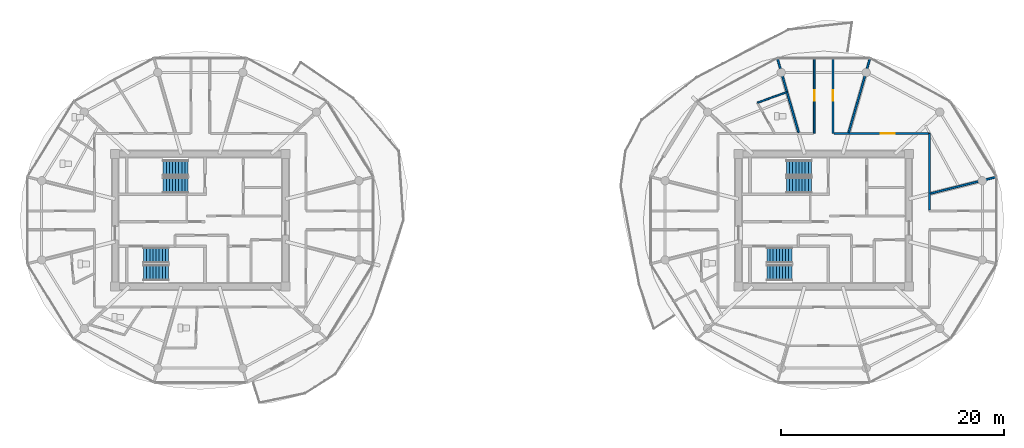
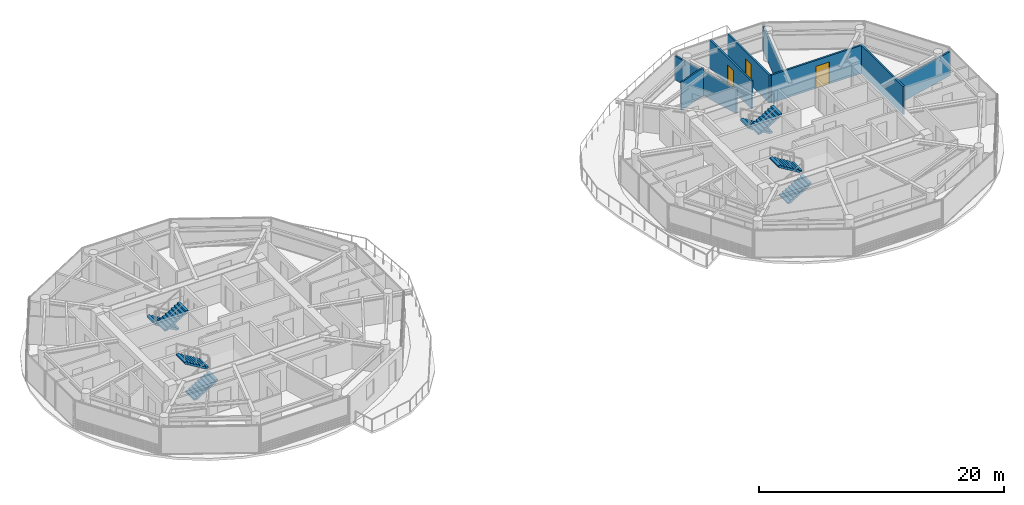
# One storey, part 14 of 19: 8 stair flights, 8 walls, 3 doors, 3 openings, 4 elements without a shape of their own.
"""IFC4 building model written with IfcOpenShell, lengths in metres."""

from ifc_helpers import new_model, si_unit, direction, frame, frame_2d, origin, place, context, subcontext, project, spatial, polyline, rectangle, outline, extrude, source, transform, mapped, material, layer, layer_set, type_object, type_shapes, element, fill, aggregate, save


model = new_model("IFC4")

# Units and contexts
model_context = context("Model", 3, precision=1e-05, world=origin(), true_north=direction((0.0, 1.0)))
body_context = subcontext(model_context, "Body", "Model", "MODEL_VIEW")
ifc_project = project(units=[si_unit("LENGTHUNIT", "METRE"), si_unit("AREAUNIT", "SQUARE_METRE"), si_unit("VOLUMEUNIT", "CUBIC_METRE"), si_unit("PLANEANGLEUNIT", "RADIAN"), si_unit("MASSUNIT", "GRAM", prefix="KILO")], contexts=[model_context])

# Site, building, storey
site_placement = place(None, origin())
site = spatial("IfcSite", under=ifc_project, at=site_placement, CompositionType="ELEMENT")
building_placement = place(site_placement, origin())
building = spatial("IfcBuilding", under=site, at=building_placement, Name="Norrkilde Senior Care Towers", CompositionType="ELEMENT")
storey_placement = place(building_placement, frame((0.0, 0.0, 193.699951171875)))
storey = spatial("IfcBuildingStorey", under=building, at=storey_placement, Name="L60", CompositionType="ELEMENT", Elevation=193.699951171875)

# Wall, opening, door
ifc_material_1 = material(Name="Gypsum Acoustic Board")
ifc_layer_1 = layer(ifc_material_1, 0.1650390625)
ifc_layer_set_1 = layer_set([ifc_layer_1], Name="Gypsum Acoustic Board")
wall_type_1 = type_object("IfcWallType", Name="Corridor Rated Partition 165", PredefinedType="PARTITIONING", material=ifc_layer_set_1)
shared_shape_1 = source(origin(), body_context, "Body", "SweptSolid", [
    extrude(rectangle(XDim=8.580078125, YDim=0.1650390625, at=frame_2d((4.2900390625, 0.0))), origin(), (0.0, 0.0, 1.0), 2.795166015625),
])
wall_1_placement = place(storey_placement, frame((28.919921875, 7.800048828125, 0.0), z_axis=(0.0, 0.0, 1.0), x_axis=(1.0, 0.0, 0.0)))
wall_1 = element("IfcWall", 1, at=wall_1_placement, inside=storey, type_object=wall_type_1, Name="WL-INT-L60-E-CRW-N-1", PredefinedType="PARTITIONING", context=body_context, shape_type="MappedRepresentation", body=[
    mapped(shared_shape_1, transform((0.0, 0.0, 0.0), x_axis=(1.0, 0.0, 0.0), y_axis=(0.0, 1.0, 0.0), z_axis=(0.0, 0.0, 1.0), scale=1.0)),
])
opening_1_placement = place(wall_1_placement, frame((4.2197265625, 0.0, 0.0)))
opening_1 = element("IfcOpeningElement", 2, at=opening_1_placement, cuts=wall_1, Name="Opening D-05", PredefinedType="OPENING", context=body_context, shape_type="SweptSolid", body=[
    extrude(rectangle(XDim=1.25, YDim=2.199951171875, at=frame_2d((0.625, 1.10009765625))), frame((0.0, 0.092529296875, 0.0), z_axis=(0.0, -1.0, 0.0), x_axis=(1.0, 0.0, 0.0)), (0.0, 0.0, 1.0), 0.18505859375),
])
ifc_material_2 = material(Name="Nordic Ash Timber", Category="wood")
door_type_1 = type_object("IfcDoorType", Name="Care Bedroom Bariatric Door 1250x2200", OperationType="NOTDEFINED", PredefinedType="DOOR", material=ifc_material_2)
shared_shape_2 = source(origin(), body_context, "Body", "SweptSolid", [
    extrude(rectangle(XDim=1.25, YDim=2.199951171875, at=frame_2d((0.625, 1.10009765625))), frame((0.0, 0.02490234375, 0.0), z_axis=(0.0, -1.0, 0.0), x_axis=(1.0, 0.0, 0.0)), (0.0, 0.0, 1.0), 0.050048828125),
])
type_shapes(door_type_1, [shared_shape_2])
door_1_placement = place(opening_1_placement, frame((1.25, 0.0, 0.0), z_axis=(0.0, 0.0, 1.0), x_axis=(-1.0, 0.0, 0.0)))
door_1 = element("IfcDoor", 3, at=door_1_placement, inside=storey, type_object=door_type_1, Name="L60 Senior Wellness Library Lounge Door", OperationType="SINGLE_SWING_LEFT", OverallHeight=2.199951171875, OverallWidth=1.25, PredefinedType="DOOR", context=body_context, shape_type="MappedRepresentation", body=[
    mapped(shared_shape_2, transform((0.0, 0.0, 0.0), x_axis=(1.0, 0.0, 0.0), y_axis=(0.0, 1.0, 0.0), z_axis=(0.0, 0.0, 1.0), scale=1.0)),
])
fill(opening_1, door_1)

# Walls
shared_shape_3 = source(origin(), body_context, "Body", "SweptSolid", [
    extrude(rectangle(XDim=6.880126953125, YDim=0.1650390625, at=frame_2d((3.43994140625, 0.0))), origin(), (0.0, 0.0, 1.0), 2.795166015625),
])
wall_2_placement = place(storey_placement, frame((37.5, 7.800048828125, 0.0), z_axis=(0.0, 0.0, 1.0), x_axis=(0.0, -1.0, 0.0)))
element("IfcWall", 4, at=wall_2_placement, inside=storey, type_object=wall_type_1, Name="WL-INT-L60-E-CRW-E-0", PredefinedType="PARTITIONING", context=body_context, shape_type="MappedRepresentation", body=[
    mapped(shared_shape_3, transform((0.0, 0.0, 0.0), x_axis=(1.0, 0.0, 0.0), y_axis=(0.0, 1.0, 0.0), z_axis=(0.0, 0.0, 1.0), scale=1.0)),
])
shared_shape_4 = source(origin(), body_context, "Body", "SweptSolid", [
    extrude(rectangle(XDim=6.973876953125, YDim=0.1650390625, at=frame_2d((3.48681640625, 0.0))), origin(), (0.0, 0.0, 1.0), 2.39501953125),
])
for number, where, z_axis, x_axis, name in (
    (5, (30.251220703125, 7.8798828125, 0.0), (0.0, 0.0, 1.0), (0.274707256801, 0.961527910703, 0.0), "WL-INT-L60-E-DEM-02-0"),
    (6, (25.748779296875, 7.8798828125, 0.0), (0.0, 0.0, 1.0), (-0.274707256801, 0.961527910703, 0.0), "WL-INT-L60-E-DEM-03-0"),
):
    element("IfcWall", number, at=place(storey_placement, frame(where, z_axis=z_axis, x_axis=x_axis)), inside=storey, type_object=wall_type_1, Name=name, PredefinedType="PARTITIONING", context=body_context, shape_type="MappedRepresentation", body=[
        mapped(shared_shape_4, transform((0.0, 0.0, 0.0), x_axis=(1.0, 0.0, 0.0), y_axis=(0.0, 1.0, 0.0), z_axis=(0.0, 0.0, 1.0), scale=1.0)),
    ])
shared_shape_5 = source(origin(), body_context, "Body", "SweptSolid", [
    extrude(rectangle(XDim=6.1572265625, YDim=0.1650390625, at=frame_2d((3.07861328125, 0.0))), origin(), (0.0, 0.0, 1.0), 2.39501953125),
])
wall_3_placement = place(storey_placement, frame((37.580078125, 2.407470703125, 0.0), z_axis=(0.0, 0.0, 1.0), x_axis=(0.969840867184, 0.243738984038, 0.0)))
element("IfcWall", 7, at=wall_3_placement, inside=storey, type_object=wall_type_1, Name="WL-INT-L60-E-DEM-00-0", PredefinedType="PARTITIONING", context=body_context, shape_type="MappedRepresentation", body=[
    mapped(shared_shape_5, transform((0.0, 0.0, 0.0), x_axis=(1.0, 0.0, 0.0), y_axis=(0.0, 1.0, 0.0), z_axis=(0.0, 0.0, 1.0), scale=1.0)),
])

# Wall, opening, door
shared_shape_6 = source(origin(), body_context, "Body", "SweptSolid", [
    extrude(rectangle(XDim=6.83544921875, YDim=0.1650390625, at=frame_2d((3.417724609375, 0.0))), origin(), (0.0, 0.0, 1.0), 2.795166015625),
])
type_shapes(wall_type_1, [shared_shape_1, shared_shape_3, shared_shape_4, shared_shape_5, shared_shape_6])
wall_4_placement = place(storey_placement, frame((27.159912109375, 7.800048828125, 0.0), z_axis=(0.0, 0.0, 1.0), x_axis=(0.0, 1.0, 0.0)))
wall_4 = element("IfcWall", 8, at=wall_4_placement, inside=storey, type_object=wall_type_1, Name="WL-INT-L60-E-SPK-N1-0", PredefinedType="PARTITIONING", context=body_context, shape_type="MappedRepresentation", body=[
    mapped(shared_shape_6, transform((0.0, 0.0, 0.0), x_axis=(1.0, 0.0, 0.0), y_axis=(0.0, 1.0, 0.0), z_axis=(0.0, 0.0, 1.0), scale=1.0)),
])
opening_2_placement = place(wall_4_placement, frame((2.942626953125, 0.0, 0.0)))
opening_2 = element("IfcOpeningElement", 9, at=opening_2_placement, cuts=wall_4, Name="Opening D-07", PredefinedType="OPENING", context=body_context, shape_type="SweptSolid", body=[
    extrude(rectangle(XDim=0.949951171875, YDim=2.10009765625, at=frame_2d((0.47509765625, 1.050048828125))), frame((0.0, 0.092529296875, 0.0), z_axis=(0.0, -1.0, 0.0), x_axis=(1.0, 0.0, 0.0)), (0.0, 0.0, 1.0), 0.18505859375),
])
door_type_2 = type_object("IfcDoorType", Name="Internal Suite Bedroom Door 950x2100", OperationType="NOTDEFINED", PredefinedType="DOOR", material=ifc_material_2)
shared_shape_7 = source(origin(), body_context, "Body", "SweptSolid", [
    extrude(rectangle(XDim=0.949951171875, YDim=2.10009765625, at=frame_2d((0.47509765625, 1.050048828125))), frame((0.0, 0.02490234375, 0.0), z_axis=(0.0, -1.0, 0.0), x_axis=(1.0, 0.0, 0.0)), (0.0, 0.0, 1.0), 0.050048828125),
])
type_shapes(door_type_2, [shared_shape_7])
door_2_placement = place(opening_2_placement, frame((0.949951171875, 0.0, 0.0), z_axis=(0.0, 0.0, 1.0), x_axis=(-1.0, 0.0, 0.0)))
door_2 = element("IfcDoor", 10, at=door_2_placement, inside=storey, type_object=door_type_2, Name="L60 Sun Reading Lounge 3 Door", OperationType="SINGLE_SWING_RIGHT", OverallHeight=2.10009765625, OverallWidth=0.949951171875, PredefinedType="DOOR", context=body_context, shape_type="MappedRepresentation", body=[
    mapped(shared_shape_7, transform((0.0, 0.0, 0.0), x_axis=(1.0, 0.0, 0.0), y_axis=(0.0, 1.0, 0.0), z_axis=(0.0, 0.0, 1.0), scale=1.0)),
])
fill(opening_2, door_2)

wall_5_placement = place(storey_placement, frame((28.840087890625, 14.635498046875, 0.0), z_axis=(0.0, 0.0, 1.0), x_axis=(0.0, -1.0, 0.0)))
wall_5 = element("IfcWall", 11, at=wall_5_placement, inside=storey, type_object=wall_type_1, Name="WL-INT-L60-E-SPK-N2-0", PredefinedType="PARTITIONING", context=body_context, shape_type="MappedRepresentation", body=[
    mapped(shared_shape_6, transform((0.0, 0.0, 0.0), x_axis=(1.0, 0.0, 0.0), y_axis=(0.0, 1.0, 0.0), z_axis=(0.0, 0.0, 1.0), scale=1.0)),
])
opening_3_placement = place(wall_5_placement, frame((2.942626953125, 0.0, 0.0)))
opening_3 = element("IfcOpeningElement", 12, at=opening_3_placement, cuts=wall_5, Name="Opening D-07", PredefinedType="OPENING", context=body_context, shape_type="SweptSolid", body=[
    extrude(rectangle(XDim=0.949951171875, YDim=2.10009765625, at=frame_2d((0.47509765625, 1.050048828125))), frame((0.0, 0.092529296875, 0.0), z_axis=(0.0, -1.0, 0.0), x_axis=(1.0, 0.0, 0.0)), (0.0, 0.0, 1.0), 0.18505859375),
])
door_3_placement = place(opening_3_placement, frame((0.949951171875, 0.0, 0.0), z_axis=(0.0, 0.0, 1.0), x_axis=(-1.0, 0.0, 0.0)))
door_3 = element("IfcDoor", 13, at=door_3_placement, inside=storey, type_object=door_type_2, Name="L60 Sun Reading Lounge 4 Door", OperationType="SINGLE_SWING_LEFT", OverallHeight=2.10009765625, OverallWidth=0.949951171875, PredefinedType="DOOR", context=body_context, shape_type="MappedRepresentation", body=[
    mapped(shared_shape_7, transform((0.0, 0.0, 0.0), x_axis=(1.0, 0.0, 0.0), y_axis=(0.0, 1.0, 0.0), z_axis=(0.0, 0.0, 1.0), scale=1.0)),
])
fill(opening_3, door_3)

# Wall
ifc_layer_2 = layer(ifc_material_1, 0.139892578125)
ifc_layer_set_2 = layer_set([ifc_layer_2], Name="Gypsum Acoustic Board")
wall_type_2 = type_object("IfcWallType", Name="En-suite Wet Room Wall 140", PredefinedType="PARTITIONING", material=ifc_layer_set_2)
shared_shape_8 = source(origin(), body_context, "Body", "SweptSolid", [
    extrude(rectangle(XDim=2.8310546875, YDim=0.139892578125, at=frame_2d((1.41552734375, 0.0))), origin(), (0.0, 0.0, 1.0), 2.795166015625),
])
type_shapes(wall_type_2, [shared_shape_8])
wall_6_placement = place(storey_placement, frame((22.042724609375, 10.5654296875, 0.0), z_axis=(0.0, 0.0, 1.0), x_axis=(0.941411742535, 0.337259441701, 0.0)))
element("IfcWall", 14, at=wall_6_placement, inside=storey, type_object=wall_type_2, Name="WL-INT-L60-E-EF-03", PredefinedType="PARTITIONING", context=body_context, shape_type="MappedRepresentation", body=[
    mapped(shared_shape_8, transform((0.0, 0.0, 0.0), x_axis=(1.0, 0.0, 0.0), y_axis=(0.0, 1.0, 0.0), z_axis=(0.0, 0.0, 1.0), scale=1.0)),
])

# Stair, stair flights
ifc_material_3 = material(Name="Concrete C45/55", Category="concrete")
stair_type = type_object("IfcStairType", Name="Core Protected Dogleg Stair Typical 3050", PredefinedType="HALF_TURN_STAIR", material=ifc_material_3)
stair_1_placement = place(storey_placement, origin())
stair_1 = element("IfcStair", 15, at=stair_1_placement, inside=storey, type_object=stair_type, Name="L60 Protected Core Stair W1", PredefinedType="HALF_TURN_STAIR")
stair_flight_type = type_object("IfcStairFlightType", Name="Core Protected Dogleg Stair Typical 3050 Flight", PredefinedType="STRAIGHT", material=ifc_material_3)
stair_flight_1_placement = place(storey_placement, frame((-29.10009765625, 4.699951171875, 0.0), z_axis=(0.0, 0.0, 1.0), x_axis=(-1.0, 0.0, 0.0)))
stair_flight_1 = element("IfcStairFlight", 16, at=stair_flight_1_placement, type_object=stair_flight_type, Name="ST-W1 flight 1", NumberOfRisers=9, NumberOfTreads=8, PredefinedType="STRAIGHT", RiserHeight=0.169444444, TreadLength=0.28, context=body_context, shape_type="SweptSolid", body=[
    extrude(outline(polyline([(0.0, 0.0), (0.0, 0.16943359375), (0.280029296875, 0.16943359375), (0.280029296875, 0.3388671875), (0.56005859375, 0.3388671875), (0.56005859375, 0.50830078125), (0.840087890625, 0.50830078125), (0.840087890625, 0.677734375), (1.1201171875, 0.677734375), (1.1201171875, 0.84716796875), (1.39990234375, 0.84716796875), (1.39990234375, 1.0166015625), (1.679931640625, 1.0166015625), (1.679931640625, 1.18603515625), (1.9599609375, 1.18603515625), (1.9599609375, 1.35546875), (2.239990234375, 1.35546875), (2.239990234375, 1.52490234375), (2.239990234375, 1.180419921875), (0.28955078125, 0.0), (0.0, 0.0)])), frame((0.0, 0.699951171875, 0.0), z_axis=(0.0, -1.0, 0.0), x_axis=(1.0, 0.0, 0.0)), (0.0, 0.0, 1.0), 1.39990234375),
])
stair_flight_2_placement = place(storey_placement, frame((-31.340087890625, 3.14990234375, 1.525146484375), z_axis=(0.0, 0.0, 1.0), x_axis=(1.0, 0.0, 0.0)))
stair_flight_2 = element("IfcStairFlight", 17, at=stair_flight_2_placement, type_object=stair_flight_type, Name="ST-W1 flight 2", NumberOfRisers=9, NumberOfTreads=8, PredefinedType="STRAIGHT", RiserHeight=0.169444444, TreadLength=0.28, context=body_context, shape_type="SweptSolid", body=[
    extrude(outline(polyline([(0.0, 0.0), (0.0, 0.16943359375), (0.280029296875, 0.16943359375), (0.280029296875, 0.3388671875), (0.56005859375, 0.3388671875), (0.56005859375, 0.50830078125), (0.840087890625, 0.50830078125), (0.840087890625, 0.677734375), (1.1201171875, 0.677734375), (1.1201171875, 0.84716796875), (1.39990234375, 0.84716796875), (1.39990234375, 1.0166015625), (1.679931640625, 1.0166015625), (1.679931640625, 1.18603515625), (1.9599609375, 1.18603515625), (1.9599609375, 1.35546875), (2.239990234375, 1.35546875), (2.239990234375, 1.52490234375), (2.239990234375, 1.180419921875), (0.28955078125, 0.0), (0.0, 0.0)])), frame((0.0, 0.699951171875, 0.0), z_axis=(0.0, -1.0, 0.0), x_axis=(1.0, 0.0, 0.0)), (0.0, 0.0, 1.0), 1.39990234375),
])
aggregate(stair_1, [stair_flight_1, stair_flight_2])

stair_2_placement = place(storey_placement, origin())
stair_2 = element("IfcStair", 18, at=stair_2_placement, inside=storey, type_object=stair_type, Name="L60 Protected Core Stair W2", PredefinedType="HALF_TURN_STAIR")
stair_flight_3_placement = place(storey_placement, frame((-33.10009765625, -4.699951171875, 0.0), z_axis=(0.0, 0.0, 1.0), x_axis=(1.0, 0.0, 0.0)))
stair_flight_3 = element("IfcStairFlight", 19, at=stair_flight_3_placement, type_object=stair_flight_type, Name="ST-W2 flight 1", NumberOfRisers=9, NumberOfTreads=8, PredefinedType="STRAIGHT", RiserHeight=0.169444444, TreadLength=0.28, context=body_context, shape_type="SweptSolid", body=[
    extrude(outline(polyline([(0.0, 0.0), (0.0, 0.16943359375), (0.280029296875, 0.16943359375), (0.280029296875, 0.3388671875), (0.56005859375, 0.3388671875), (0.56005859375, 0.50830078125), (0.840087890625, 0.50830078125), (0.840087890625, 0.677734375), (1.1201171875, 0.677734375), (1.1201171875, 0.84716796875), (1.39990234375, 0.84716796875), (1.39990234375, 1.0166015625), (1.679931640625, 1.0166015625), (1.679931640625, 1.18603515625), (1.9599609375, 1.18603515625), (1.9599609375, 1.35546875), (2.239990234375, 1.35546875), (2.239990234375, 1.52490234375), (2.239990234375, 1.180419921875), (0.28955078125, 0.0), (0.0, 0.0)])), frame((0.0, 0.699951171875, 0.0), z_axis=(0.0, -1.0, 0.0), x_axis=(1.0, 0.0, 0.0)), (0.0, 0.0, 1.0), 1.39990234375),
])
stair_flight_4_placement = place(storey_placement, frame((-30.860107421875, -3.14990234375, 1.525146484375), z_axis=(0.0, 0.0, 1.0), x_axis=(-1.0, 0.0, 0.0)))
stair_flight_4 = element("IfcStairFlight", 20, at=stair_flight_4_placement, type_object=stair_flight_type, Name="ST-W2 flight 2", NumberOfRisers=9, NumberOfTreads=8, PredefinedType="STRAIGHT", RiserHeight=0.169444444, TreadLength=0.28, context=body_context, shape_type="SweptSolid", body=[
    extrude(outline(polyline([(0.0, 0.0), (0.0, 0.16943359375), (0.280029296875, 0.16943359375), (0.280029296875, 0.3388671875), (0.56005859375, 0.3388671875), (0.56005859375, 0.50830078125), (0.840087890625, 0.50830078125), (0.840087890625, 0.677734375), (1.1201171875, 0.677734375), (1.1201171875, 0.84716796875), (1.39990234375, 0.84716796875), (1.39990234375, 1.0166015625), (1.679931640625, 1.0166015625), (1.679931640625, 1.18603515625), (1.9599609375, 1.18603515625), (1.9599609375, 1.35546875), (2.239990234375, 1.35546875), (2.239990234375, 1.52490234375), (2.239990234375, 1.180419921875), (0.28955078125, 0.0), (0.0, 0.0)])), frame((0.0, 0.699951171875, 0.0), z_axis=(0.0, -1.0, 0.0), x_axis=(1.0, 0.0, 0.0)), (0.0, 0.0, 1.0), 1.39990234375),
])
aggregate(stair_2, [stair_flight_3, stair_flight_4])

stair_3_placement = place(storey_placement, origin())
stair_3 = element("IfcStair", 21, at=stair_3_placement, inside=storey, type_object=stair_type, Name="L60 Protected Core Stair E1", PredefinedType="HALF_TURN_STAIR")
stair_flight_5_placement = place(storey_placement, frame((26.89990234375, 4.699951171875, 0.0), z_axis=(0.0, 0.0, 1.0), x_axis=(-1.0, 0.0, 0.0)))
stair_flight_5 = element("IfcStairFlight", 22, at=stair_flight_5_placement, type_object=stair_flight_type, Name="ST-E1 flight 1", NumberOfRisers=9, NumberOfTreads=8, PredefinedType="STRAIGHT", RiserHeight=0.169444444, TreadLength=0.28, context=body_context, shape_type="SweptSolid", body=[
    extrude(outline(polyline([(0.0, 0.0), (0.0, 0.16943359375), (0.280029296875, 0.16943359375), (0.280029296875, 0.3388671875), (0.56005859375, 0.3388671875), (0.56005859375, 0.50830078125), (0.840087890625, 0.50830078125), (0.840087890625, 0.677734375), (1.1201171875, 0.677734375), (1.1201171875, 0.84716796875), (1.39990234375, 0.84716796875), (1.39990234375, 1.0166015625), (1.679931640625, 1.0166015625), (1.679931640625, 1.18603515625), (1.9599609375, 1.18603515625), (1.9599609375, 1.35546875), (2.239990234375, 1.35546875), (2.239990234375, 1.52490234375), (2.239990234375, 1.180419921875), (0.28955078125, 0.0), (0.0, 0.0)])), frame((0.0, 0.699951171875, 0.0), z_axis=(0.0, -1.0, 0.0), x_axis=(1.0, 0.0, 0.0)), (0.0, 0.0, 1.0), 1.39990234375),
])
stair_flight_6_placement = place(storey_placement, frame((24.659912109375, 3.14990234375, 1.525146484375), z_axis=(0.0, 0.0, 1.0), x_axis=(1.0, 0.0, 0.0)))
stair_flight_6 = element("IfcStairFlight", 23, at=stair_flight_6_placement, type_object=stair_flight_type, Name="ST-E1 flight 2", NumberOfRisers=9, NumberOfTreads=8, PredefinedType="STRAIGHT", RiserHeight=0.169444444, TreadLength=0.28, context=body_context, shape_type="SweptSolid", body=[
    extrude(outline(polyline([(0.0, 0.0), (0.0, 0.16943359375), (0.280029296875, 0.16943359375), (0.280029296875, 0.3388671875), (0.56005859375, 0.3388671875), (0.56005859375, 0.50830078125), (0.840087890625, 0.50830078125), (0.840087890625, 0.677734375), (1.1201171875, 0.677734375), (1.1201171875, 0.84716796875), (1.39990234375, 0.84716796875), (1.39990234375, 1.0166015625), (1.679931640625, 1.0166015625), (1.679931640625, 1.18603515625), (1.9599609375, 1.18603515625), (1.9599609375, 1.35546875), (2.239990234375, 1.35546875), (2.239990234375, 1.52490234375), (2.239990234375, 1.180419921875), (0.28955078125, 0.0), (0.0, 0.0)])), frame((0.0, 0.699951171875, 0.0), z_axis=(0.0, -1.0, 0.0), x_axis=(1.0, 0.0, 0.0)), (0.0, 0.0, 1.0), 1.39990234375),
])
aggregate(stair_3, [stair_flight_5, stair_flight_6])

stair_4_placement = place(storey_placement, origin())
stair_4 = element("IfcStair", 24, at=stair_4_placement, inside=storey, type_object=stair_type, Name="L60 Protected Core Stair E2", PredefinedType="HALF_TURN_STAIR")
stair_flight_7_placement = place(storey_placement, frame((22.89990234375, -4.699951171875, 0.0), z_axis=(0.0, 0.0, 1.0), x_axis=(1.0, 0.0, 0.0)))
stair_flight_7 = element("IfcStairFlight", 25, at=stair_flight_7_placement, type_object=stair_flight_type, Name="ST-E2 flight 1", NumberOfRisers=9, NumberOfTreads=8, PredefinedType="STRAIGHT", RiserHeight=0.169444444, TreadLength=0.28, context=body_context, shape_type="SweptSolid", body=[
    extrude(outline(polyline([(0.0, 0.0), (0.0, 0.16943359375), (0.280029296875, 0.16943359375), (0.280029296875, 0.3388671875), (0.56005859375, 0.3388671875), (0.56005859375, 0.50830078125), (0.840087890625, 0.50830078125), (0.840087890625, 0.677734375), (1.1201171875, 0.677734375), (1.1201171875, 0.84716796875), (1.39990234375, 0.84716796875), (1.39990234375, 1.0166015625), (1.679931640625, 1.0166015625), (1.679931640625, 1.18603515625), (1.9599609375, 1.18603515625), (1.9599609375, 1.35546875), (2.239990234375, 1.35546875), (2.239990234375, 1.52490234375), (2.239990234375, 1.180419921875), (0.28955078125, 0.0), (0.0, 0.0)])), frame((0.0, 0.699951171875, 0.0), z_axis=(0.0, -1.0, 0.0), x_axis=(1.0, 0.0, 0.0)), (0.0, 0.0, 1.0), 1.39990234375),
])
stair_flight_8_placement = place(storey_placement, frame((25.139892578125, -3.14990234375, 1.525146484375), z_axis=(0.0, 0.0, 1.0), x_axis=(-1.0, 0.0, 0.0)))
stair_flight_8 = element("IfcStairFlight", 26, at=stair_flight_8_placement, type_object=stair_flight_type, Name="ST-E2 flight 2", NumberOfRisers=9, NumberOfTreads=8, PredefinedType="STRAIGHT", RiserHeight=0.169444444, TreadLength=0.28, context=body_context, shape_type="SweptSolid", body=[
    extrude(outline(polyline([(0.0, 0.0), (0.0, 0.16943359375), (0.280029296875, 0.16943359375), (0.280029296875, 0.3388671875), (0.56005859375, 0.3388671875), (0.56005859375, 0.50830078125), (0.840087890625, 0.50830078125), (0.840087890625, 0.677734375), (1.1201171875, 0.677734375), (1.1201171875, 0.84716796875), (1.39990234375, 0.84716796875), (1.39990234375, 1.0166015625), (1.679931640625, 1.0166015625), (1.679931640625, 1.18603515625), (1.9599609375, 1.18603515625), (1.9599609375, 1.35546875), (2.239990234375, 1.35546875), (2.239990234375, 1.52490234375), (2.239990234375, 1.180419921875), (0.28955078125, 0.0), (0.0, 0.0)])), frame((0.0, 0.699951171875, 0.0), z_axis=(0.0, -1.0, 0.0), x_axis=(1.0, 0.0, 0.0)), (0.0, 0.0, 1.0), 1.39990234375),
])
aggregate(stair_4, [stair_flight_7, stair_flight_8])

save(model, "model.ifc")
